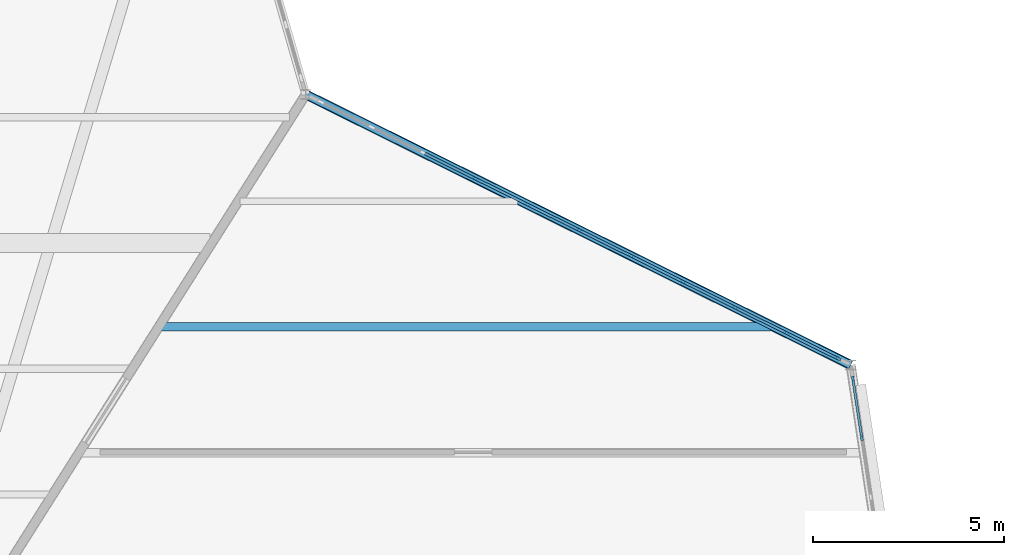
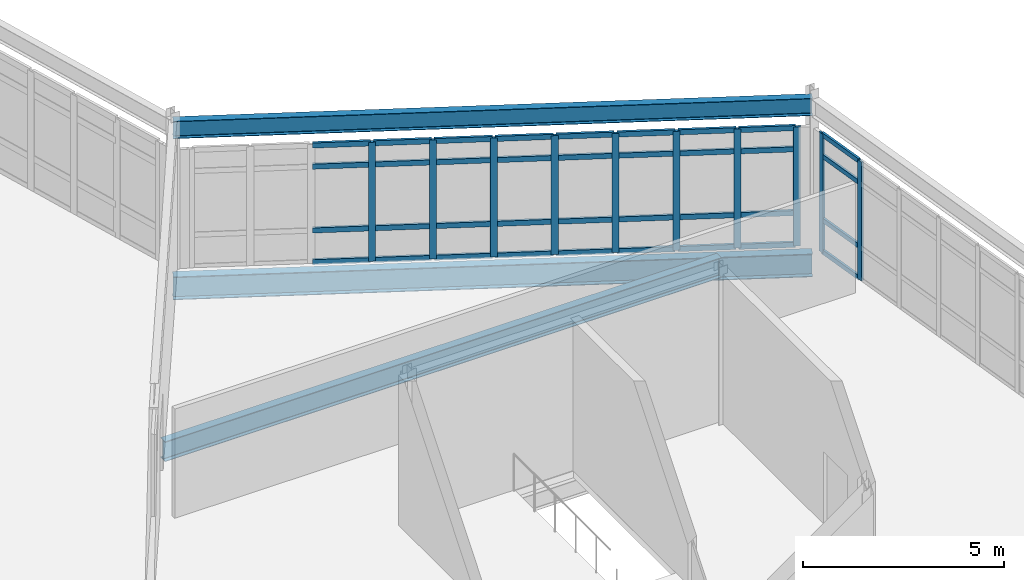
# One storey, part 34 of 76: 46 members, 3 beams, 2 elements without a shape of their own.
"""IFC4 building model written with IfcOpenShell, lengths in metres."""

from ifc_helpers import new_model, si_unit, direction, frame, origin, origin_2d, place, context, subcontext, project, spatial, rectangle, i_section, extrude, material, material_profile, profile_set, type_object, element, aggregate, save


model = new_model("IFC4")

# Units and contexts
model_context = context("Model", 3, precision=1e-05, world=origin(), true_north=direction((0.0, 1.0)))
body_context = subcontext(model_context, "Body", "Model", "MODEL_VIEW")
ifc_project = project(units=[si_unit("LENGTHUNIT", "METRE"), si_unit("AREAUNIT", "SQUARE_METRE"), si_unit("VOLUMEUNIT", "CUBIC_METRE"), si_unit("PLANEANGLEUNIT", "RADIAN"), si_unit("MASSUNIT", "GRAM", prefix="KILO")], contexts=[model_context])

# Site, building, storey
site_placement = place(None, origin())
site = spatial("IfcSite", under=ifc_project, at=site_placement, CompositionType="ELEMENT")
building_placement = place(site_placement, origin())
building = spatial("IfcBuilding", under=site, at=building_placement, Name="Tameran Prism Museum", CompositionType="ELEMENT")
storey_placement = place(building_placement, frame((0.0, 0.0, 15.0)))
storey = spatial("IfcBuildingStorey", under=building, at=storey_placement, Name="L03", CompositionType="ELEMENT", Elevation=15.0)

# Beams
ifc_material_1 = material(Name="Steel Grade 300PLUS (300 MPa)", Category="steel")
ifc_material_profile_1 = material_profile(ifc_material_1, i_section(OverallWidth=0.208984375, OverallDepth=0.528076171875, WebThickness=0.009521484375, FlangeThickness=0.01318359375, FilletRadius=0.013916015625, at=origin_2d()))
ifc_profile_set_1 = profile_set([ifc_material_profile_1])
beam_type_1 = type_object("IfcBeamType", Name="BM-SP530B", PredefinedType="SPANDREL", material=ifc_profile_set_1)
beam_1_placement = place(storey_placement, frame((74.800048828125, 66.10009765625, 4.256103515625), z_axis=(-0.89568063561, 0.444697873835, 0.0), x_axis=(-0.444697873835, -0.89568063561, 0.0)))
element("IfcBeam", 1, at=beam_1_placement, inside=storey, type_object=beam_type_1, Name="Roof Ring Beam RB-0972", PredefinedType="SPANDREL", context=body_context, shape_type="SweptSolid", body=[
    extrude(i_section(OverallWidth=0.208984375, OverallDepth=0.528076171875, WebThickness=0.009521484375, FlangeThickness=0.01318359375, FilletRadius=0.013916015625, at=origin_2d()), origin(), (0.0, 0.0, 1.0), 15.965576171875),
])
ifc_material_2 = material(Name="Steel Grade 350 (350 MPa)", Category="steel")
ifc_material_profile_2 = material_profile(ifc_material_2, i_section(OverallWidth=0.25, OverallDepth=0.699951171875, WebThickness=0.010009765625, FlangeThickness=0.02001953125, at=origin_2d()))
ifc_profile_set_2 = profile_set([ifc_material_profile_2])
beam_type_2 = type_object("IfcBeamType", Name="BM-SP700", PredefinedType="SPANDREL", material=ifc_profile_set_2)
beam_2_placement = place(storey_placement, frame((74.800048828125, 66.10009765625, -0.550048828125), z_axis=(-0.89568063561, 0.444697873835, 0.0), x_axis=(-0.444697873835, -0.89568063561, 0.0)))
element("IfcBeam", 2, at=beam_2_placement, inside=storey, type_object=beam_type_2, Name="Perimeter Spandrel SP-0968", PredefinedType="SPANDREL", context=body_context, shape_type="SweptSolid", body=[
    extrude(i_section(OverallWidth=0.25, OverallDepth=0.699951171875, WebThickness=0.010009765625, FlangeThickness=0.02001953125, at=origin_2d()), origin(), (0.0, 0.0, 1.0), 15.965576171875),
])
ifc_material_3 = material(Name="Steel Grade 300PLUS (300 MPa)", Category="steel")
ifc_material_profile_3 = material_profile(ifc_material_3, i_section(OverallWidth=0.22802734375, OverallDepth=0.60693359375, WebThickness=0.01123046875, FlangeThickness=0.017333984375, FilletRadius=0.013916015625, at=origin_2d()))
ifc_profile_set_3 = profile_set([ifc_material_profile_3])
beam_type_3 = type_object("IfcBeamType", Name="BM-UB610B", PredefinedType="BEAM", material=ifc_profile_set_3)
beam_3_placement = place(storey_placement, frame((56.68896484375, 67.10009765625, -0.50341796875), z_axis=(1.0, 0.0, 0.0), x_axis=(0.0, 1.0, 0.0)))
element("IfcBeam", 3, at=beam_3_placement, inside=storey, type_object=beam_type_3, Name="Floor Beam BM-1102", PredefinedType="BEAM", context=body_context, shape_type="SweptSolid", body=[
    extrude(i_section(OverallWidth=0.22802734375, OverallDepth=0.60693359375, WebThickness=0.01123046875, FlangeThickness=0.017333984375, FilletRadius=0.013916015625, at=origin_2d()), origin(), (0.0, 0.0, 1.0), 16.007080078125),
])

# Curtain wall, members
ifc_material_4 = material(Name="Anodised Aluminium 6063-T6 and Cyclone Solar Glass", Category="aluminium")
curtain_wall_type_1 = type_object("IfcCurtainWallType", Name="CW-FAC-1734x362", PredefinedType="USERDEFINED", material=ifc_material_4)
curtain_wall_1_placement = place(storey_placement, origin())
curtain_wall_1 = element("IfcCurtainWall", 4, at=curtain_wall_1_placement, inside=storey, type_object=curtain_wall_type_1, Name="Unitised Curtain Wall CW-143", ObjectType="UNITISED CURTAIN WALL", PredefinedType="USERDEFINED")
ifc_material_5 = material(Name="Anodised Aluminium Alloy 6063-T6", Category="aluminium")
ifc_material_profile_4 = material_profile(ifc_material_5, rectangle(XDim=0.06494140625, YDim=0.159912109375, at=origin_2d()))
ifc_profile_set_4 = profile_set([ifc_material_profile_4])
member_type_1 = type_object("IfcMemberType", Name="CW-MUL-A", PredefinedType="MULLION", material=ifc_profile_set_4)
member_1_placement = place(storey_placement, frame((74.85693359375, 65.721923828125, 0.0), z_axis=(0.0, 0.0, 1.0), x_axis=(0.988812088052, 0.149166532852, 0.0)))
member_1 = element("IfcMember", 5, at=member_1_placement, type_object=member_type_1, Name="CW-143 mullion 1", PredefinedType="MULLION", context=body_context, shape_type="SweptSolid", body=[
    extrude(rectangle(XDim=0.06494140625, YDim=0.159912109375, at=origin_2d()), origin(), (0.0, 0.0, 1.0), 3.6201171875),
])
member_2_placement = place(storey_placement, frame((75.087158203125, 64.195068359375, 0.0), z_axis=(0.0, 0.0, 1.0), x_axis=(0.988812088052, 0.149166532852, 0.0)))
member_2 = element("IfcMember", 6, at=member_2_placement, type_object=member_type_1, Name="CW-143 mullion 2", PredefinedType="MULLION", context=body_context, shape_type="SweptSolid", body=[
    extrude(rectangle(XDim=0.06494140625, YDim=0.159912109375, at=origin_2d()), origin(), (0.0, 0.0, 1.0), 3.6201171875),
])

ifc_material_6 = material(Name="Anodised Aluminium 6063-T6 and Cyclone Solar Glass", Category="aluminium")
curtain_wall_type_2 = type_object("IfcCurtainWallType", Name="CW-FAC-1520x362", PredefinedType="USERDEFINED", material=ifc_material_6)
curtain_wall_2_placement = place(storey_placement, origin())
curtain_wall_2 = element("IfcCurtainWall", 7, at=curtain_wall_2_placement, inside=storey, type_object=curtain_wall_type_2, Name="Unitised Curtain Wall CW-144", ObjectType="UNITISED CURTAIN WALL", PredefinedType="USERDEFINED")
ifc_material_7 = material(Name="Anodised Aluminium Alloy 6063-T6", Category="aluminium")
ifc_material_profile_5 = material_profile(ifc_material_7, rectangle(XDim=0.070068359375, YDim=0.179931640625, at=origin_2d()))
ifc_profile_set_5 = profile_set([ifc_material_profile_5])
member_type_2 = type_object("IfcMemberType", Name="CW-MUL-B", PredefinedType="MULLION", material=ifc_profile_set_5)
member_3_placement = place(storey_placement, frame((64.952880859375, 70.98876953125, 0.0), z_axis=(0.0, 0.0, 1.0), x_axis=(0.444633769593, 0.895712459966, 0.0)))
member_3 = element("IfcMember", 8, at=member_3_placement, type_object=member_type_2, Name="CW-144 mullion 4", PredefinedType="MULLION", context=body_context, shape_type="SweptSolid", body=[
    extrude(rectangle(XDim=0.070068359375, YDim=0.179931640625, at=origin_2d()), origin(), (0.0, 0.0, 1.0), 3.6201171875),
])
member_4_placement = place(storey_placement, frame((66.31494140625, 70.3125, 0.0), z_axis=(0.0, 0.0, 1.0), x_axis=(0.444633769593, 0.895712459966, 0.0)))
member_4 = element("IfcMember", 9, at=member_4_placement, type_object=member_type_2, Name="CW-144 mullion 5", PredefinedType="MULLION", context=body_context, shape_type="SweptSolid", body=[
    extrude(rectangle(XDim=0.070068359375, YDim=0.179931640625, at=origin_2d()), origin(), (0.0, 0.0, 1.0), 3.6201171875),
])
member_5_placement = place(storey_placement, frame((67.677001953125, 69.636474609375, 0.0), z_axis=(0.0, 0.0, 1.0), x_axis=(0.444633769593, 0.895712459966, 0.0)))
member_5 = element("IfcMember", 10, at=member_5_placement, type_object=member_type_2, Name="CW-144 mullion 6", PredefinedType="MULLION", context=body_context, shape_type="SweptSolid", body=[
    extrude(rectangle(XDim=0.070068359375, YDim=0.179931640625, at=origin_2d()), origin(), (0.0, 0.0, 1.0), 3.6201171875),
])
member_6_placement = place(storey_placement, frame((69.0390625, 68.96044921875, 0.0), z_axis=(0.0, 0.0, 1.0), x_axis=(0.444633769593, 0.895712459966, 0.0)))
member_6 = element("IfcMember", 11, at=member_6_placement, type_object=member_type_2, Name="CW-144 mullion 7", PredefinedType="MULLION", context=body_context, shape_type="SweptSolid", body=[
    extrude(rectangle(XDim=0.070068359375, YDim=0.179931640625, at=origin_2d()), origin(), (0.0, 0.0, 1.0), 3.6201171875),
])
member_7_placement = place(storey_placement, frame((70.40087890625, 68.2841796875, 0.0), z_axis=(0.0, 0.0, 1.0), x_axis=(0.444633769593, 0.895712459966, 0.0)))
member_7 = element("IfcMember", 12, at=member_7_placement, type_object=member_type_2, Name="CW-144 mullion 8", PredefinedType="MULLION", context=body_context, shape_type="SweptSolid", body=[
    extrude(rectangle(XDim=0.070068359375, YDim=0.179931640625, at=origin_2d()), origin(), (0.0, 0.0, 1.0), 3.6201171875),
])
member_8_placement = place(storey_placement, frame((71.762939453125, 67.608154296875, 0.0), z_axis=(0.0, 0.0, 1.0), x_axis=(0.444633769593, 0.895712459966, 0.0)))
member_8 = element("IfcMember", 13, at=member_8_placement, type_object=member_type_2, Name="CW-144 mullion 9", PredefinedType="MULLION", context=body_context, shape_type="SweptSolid", body=[
    extrude(rectangle(XDim=0.070068359375, YDim=0.179931640625, at=origin_2d()), origin(), (0.0, 0.0, 1.0), 3.6201171875),
])
member_9_placement = place(storey_placement, frame((73.125, 66.93212890625, 0.0), z_axis=(0.0, 0.0, 1.0), x_axis=(0.444633769593, 0.895712459966, 0.0)))
member_9 = element("IfcMember", 14, at=member_9_placement, type_object=member_type_2, Name="CW-144 mullion 10", PredefinedType="MULLION", context=body_context, shape_type="SweptSolid", body=[
    extrude(rectangle(XDim=0.070068359375, YDim=0.179931640625, at=origin_2d()), origin(), (0.0, 0.0, 1.0), 3.6201171875),
])
member_10_placement = place(storey_placement, frame((74.45556640625, 66.271484375, 0.0), z_axis=(0.0, 0.0, 1.0), x_axis=(0.444633769593, 0.895712459966, 0.0)))
member_10 = element("IfcMember", 15, at=member_10_placement, type_object=member_type_2, Name="CW-144 mullion 11", PredefinedType="MULLION", context=body_context, shape_type="SweptSolid", body=[
    extrude(rectangle(XDim=0.070068359375, YDim=0.179931640625, at=origin_2d()), origin(), (0.0, 0.0, 1.0), 3.6201171875),
])

# Member
ifc_material_8 = material(Name="Anodised Aluminium Alloy 6063-T6", Category="aluminium")
ifc_material_profile_6 = material_profile(ifc_material_8, rectangle(XDim=0.06494140625, YDim=0.139892578125, at=origin_2d()))
ifc_profile_set_6 = profile_set([ifc_material_profile_6])
member_type_3 = type_object("IfcMemberType", Name="CW-TRN-A", PredefinedType="USERDEFINED", material=ifc_profile_set_6)
member_11_placement = place(storey_placement, frame((74.86181640625, 65.689697265625, 0.032470703125), z_axis=(0.149042595764, -0.988830776548, 0.0), x_axis=(0.988830776548, 0.149042595764, 0.0)))
member_11 = element("IfcMember", 16, at=member_11_placement, type_object=member_type_3, Name="CW-143 transom 1.1", ObjectType="TRANSOM", PredefinedType="USERDEFINED", context=body_context, shape_type="SweptSolid", body=[
    extrude(rectangle(XDim=0.06494140625, YDim=0.139892578125, at=origin_2d()), origin(), (0.0, 0.0, 1.0), 1.479248046875),
])

member_12_placement = place(storey_placement, frame((74.86181640625, 65.689697265625, 1.0), z_axis=(0.149042595764, -0.988830776548, 0.0), x_axis=(0.988830776548, 0.149042595764, 0.0)))
member_12 = element("IfcMember", 17, at=member_12_placement, type_object=member_type_3, Name="CW-143 transom 1.2", ObjectType="TRANSOM", PredefinedType="USERDEFINED", context=body_context, shape_type="SweptSolid", body=[
    extrude(rectangle(XDim=0.06494140625, YDim=0.139892578125, at=origin_2d()), origin(), (0.0, 0.0, 1.0), 1.479248046875),
])

member_13_placement = place(storey_placement, frame((74.86181640625, 65.689697265625, 2.93994140625), z_axis=(0.149042595764, -0.988830776548, 0.0), x_axis=(0.988830776548, 0.149042595764, 0.0)))
member_13 = element("IfcMember", 18, at=member_13_placement, type_object=member_type_3, Name="CW-143 transom 1.3", ObjectType="TRANSOM", PredefinedType="USERDEFINED", context=body_context, shape_type="SweptSolid", body=[
    extrude(rectangle(XDim=0.06494140625, YDim=0.139892578125, at=origin_2d()), origin(), (0.0, 0.0, 1.0), 1.479248046875),
])

member_14_placement = place(storey_placement, frame((74.86181640625, 65.689697265625, 3.58740234375), z_axis=(0.149042595764, -0.988830776548, 0.0), x_axis=(0.988830776548, 0.149042595764, 0.0)))
member_14 = element("IfcMember", 19, at=member_14_placement, type_object=member_type_3, Name="CW-143 transom 1.4", ObjectType="TRANSOM", PredefinedType="USERDEFINED", context=body_context, shape_type="SweptSolid", body=[
    extrude(rectangle(XDim=0.06494140625, YDim=0.139892578125, at=origin_2d()), origin(), (0.0, 0.0, 1.0), 1.479248046875),
])

aggregate(curtain_wall_1, [member_1, member_2, member_11, member_12, member_13, member_14])

ifc_material_9 = material(Name="Anodised Aluminium Alloy 6063-T6", Category="aluminium")
ifc_material_profile_7 = material_profile(ifc_material_9, rectangle(XDim=0.070068359375, YDim=0.155029296875, at=origin_2d()))
ifc_profile_set_7 = profile_set([ifc_material_profile_7])
member_type_4 = type_object("IfcMemberType", Name="CW-TRN-B", PredefinedType="USERDEFINED", material=ifc_profile_set_7)
member_15_placement = place(storey_placement, frame((63.622314453125, 71.649169921875, 0.034912109375), z_axis=(0.89570262692, -0.444653577663, 0.0), x_axis=(0.444653577663, 0.89570262692, 0.0)))
member_15 = element("IfcMember", 20, at=member_15_placement, type_object=member_type_4, Name="CW-144 transom 3.1", ObjectType="TRANSOM", PredefinedType="USERDEFINED", context=body_context, shape_type="SweptSolid", body=[
    extrude(rectangle(XDim=0.070068359375, YDim=0.155029296875, at=origin_2d()), origin(), (0.0, 0.0, 1.0), 1.45068359375),
])

member_16_placement = place(storey_placement, frame((63.622314453125, 71.649169921875, 1.0), z_axis=(0.89570262692, -0.444653577663, 0.0), x_axis=(0.444653577663, 0.89570262692, 0.0)))
member_16 = element("IfcMember", 21, at=member_16_placement, type_object=member_type_4, Name="CW-144 transom 3.2", ObjectType="TRANSOM", PredefinedType="USERDEFINED", context=body_context, shape_type="SweptSolid", body=[
    extrude(rectangle(XDim=0.070068359375, YDim=0.155029296875, at=origin_2d()), origin(), (0.0, 0.0, 1.0), 1.45068359375),
])

member_17_placement = place(storey_placement, frame((63.622314453125, 71.649169921875, 2.93994140625), z_axis=(0.89570262692, -0.444653577663, 0.0), x_axis=(0.444653577663, 0.89570262692, 0.0)))
member_17 = element("IfcMember", 22, at=member_17_placement, type_object=member_type_4, Name="CW-144 transom 3.3", ObjectType="TRANSOM", PredefinedType="USERDEFINED", context=body_context, shape_type="SweptSolid", body=[
    extrude(rectangle(XDim=0.070068359375, YDim=0.155029296875, at=origin_2d()), origin(), (0.0, 0.0, 1.0), 1.45068359375),
])

member_18_placement = place(storey_placement, frame((63.622314453125, 71.649169921875, 3.5849609375), z_axis=(0.89570262692, -0.444653577663, 0.0), x_axis=(0.444653577663, 0.89570262692, 0.0)))
member_18 = element("IfcMember", 23, at=member_18_placement, type_object=member_type_4, Name="CW-144 transom 3.4", ObjectType="TRANSOM", PredefinedType="USERDEFINED", context=body_context, shape_type="SweptSolid", body=[
    extrude(rectangle(XDim=0.070068359375, YDim=0.155029296875, at=origin_2d()), origin(), (0.0, 0.0, 1.0), 1.45068359375),
])

member_19_placement = place(storey_placement, frame((64.984375, 70.97314453125, 0.034912109375), z_axis=(0.89570262692, -0.444653577663, 0.0), x_axis=(0.444653577663, 0.89570262692, 0.0)))
member_19 = element("IfcMember", 24, at=member_19_placement, type_object=member_type_4, Name="CW-144 transom 4.1", ObjectType="TRANSOM", PredefinedType="USERDEFINED", context=body_context, shape_type="SweptSolid", body=[
    extrude(rectangle(XDim=0.070068359375, YDim=0.155029296875, at=origin_2d()), origin(), (0.0, 0.0, 1.0), 1.45068359375),
])

member_20_placement = place(storey_placement, frame((64.984375, 70.97314453125, 1.0), z_axis=(0.89570262692, -0.444653577663, 0.0), x_axis=(0.444653577663, 0.89570262692, 0.0)))
member_20 = element("IfcMember", 25, at=member_20_placement, type_object=member_type_4, Name="CW-144 transom 4.2", ObjectType="TRANSOM", PredefinedType="USERDEFINED", context=body_context, shape_type="SweptSolid", body=[
    extrude(rectangle(XDim=0.070068359375, YDim=0.155029296875, at=origin_2d()), origin(), (0.0, 0.0, 1.0), 1.45068359375),
])

member_21_placement = place(storey_placement, frame((64.984375, 70.97314453125, 2.93994140625), z_axis=(0.89570262692, -0.444653577663, 0.0), x_axis=(0.444653577663, 0.89570262692, 0.0)))
member_21 = element("IfcMember", 26, at=member_21_placement, type_object=member_type_4, Name="CW-144 transom 4.3", ObjectType="TRANSOM", PredefinedType="USERDEFINED", context=body_context, shape_type="SweptSolid", body=[
    extrude(rectangle(XDim=0.070068359375, YDim=0.155029296875, at=origin_2d()), origin(), (0.0, 0.0, 1.0), 1.45068359375),
])

member_22_placement = place(storey_placement, frame((64.984375, 70.97314453125, 3.5849609375), z_axis=(0.89570262692, -0.444653577663, 0.0), x_axis=(0.444653577663, 0.89570262692, 0.0)))
member_22 = element("IfcMember", 27, at=member_22_placement, type_object=member_type_4, Name="CW-144 transom 4.4", ObjectType="TRANSOM", PredefinedType="USERDEFINED", context=body_context, shape_type="SweptSolid", body=[
    extrude(rectangle(XDim=0.070068359375, YDim=0.155029296875, at=origin_2d()), origin(), (0.0, 0.0, 1.0), 1.45068359375),
])

member_23_placement = place(storey_placement, frame((66.346435546875, 70.297119140625, 0.034912109375), z_axis=(0.89570262692, -0.444653577663, 0.0), x_axis=(0.444653577663, 0.89570262692, 0.0)))
member_23 = element("IfcMember", 28, at=member_23_placement, type_object=member_type_4, Name="CW-144 transom 5.1", ObjectType="TRANSOM", PredefinedType="USERDEFINED", context=body_context, shape_type="SweptSolid", body=[
    extrude(rectangle(XDim=0.070068359375, YDim=0.155029296875, at=origin_2d()), origin(), (0.0, 0.0, 1.0), 1.45068359375),
])

member_24_placement = place(storey_placement, frame((66.346435546875, 70.297119140625, 1.0), z_axis=(0.89570262692, -0.444653577663, 0.0), x_axis=(0.444653577663, 0.89570262692, 0.0)))
member_24 = element("IfcMember", 29, at=member_24_placement, type_object=member_type_4, Name="CW-144 transom 5.2", ObjectType="TRANSOM", PredefinedType="USERDEFINED", context=body_context, shape_type="SweptSolid", body=[
    extrude(rectangle(XDim=0.070068359375, YDim=0.155029296875, at=origin_2d()), origin(), (0.0, 0.0, 1.0), 1.45068359375),
])

member_25_placement = place(storey_placement, frame((66.346435546875, 70.297119140625, 2.93994140625), z_axis=(0.89570262692, -0.444653577663, 0.0), x_axis=(0.444653577663, 0.89570262692, 0.0)))
member_25 = element("IfcMember", 30, at=member_25_placement, type_object=member_type_4, Name="CW-144 transom 5.3", ObjectType="TRANSOM", PredefinedType="USERDEFINED", context=body_context, shape_type="SweptSolid", body=[
    extrude(rectangle(XDim=0.070068359375, YDim=0.155029296875, at=origin_2d()), origin(), (0.0, 0.0, 1.0), 1.45068359375),
])

member_26_placement = place(storey_placement, frame((66.346435546875, 70.297119140625, 3.5849609375), z_axis=(0.89570262692, -0.444653577663, 0.0), x_axis=(0.444653577663, 0.89570262692, 0.0)))
member_26 = element("IfcMember", 31, at=member_26_placement, type_object=member_type_4, Name="CW-144 transom 5.4", ObjectType="TRANSOM", PredefinedType="USERDEFINED", context=body_context, shape_type="SweptSolid", body=[
    extrude(rectangle(XDim=0.070068359375, YDim=0.155029296875, at=origin_2d()), origin(), (0.0, 0.0, 1.0), 1.45068359375),
])

member_27_placement = place(storey_placement, frame((67.708251953125, 69.620849609375, 0.034912109375), z_axis=(0.89576965259, -0.444518536732, 0.0), x_axis=(0.444518536732, 0.89576965259, 0.0)))
member_27 = element("IfcMember", 32, at=member_27_placement, type_object=member_type_4, Name="CW-144 transom 6.1", ObjectType="TRANSOM", PredefinedType="USERDEFINED", context=body_context, shape_type="SweptSolid", body=[
    extrude(rectangle(XDim=0.070068359375, YDim=0.155029296875, at=origin_2d()), origin(), (0.0, 0.0, 1.0), 1.450439453125),
])

member_28_placement = place(storey_placement, frame((67.708251953125, 69.620849609375, 1.0), z_axis=(0.89576965259, -0.444518536732, 0.0), x_axis=(0.444518536732, 0.89576965259, 0.0)))
member_28 = element("IfcMember", 33, at=member_28_placement, type_object=member_type_4, Name="CW-144 transom 6.2", ObjectType="TRANSOM", PredefinedType="USERDEFINED", context=body_context, shape_type="SweptSolid", body=[
    extrude(rectangle(XDim=0.070068359375, YDim=0.155029296875, at=origin_2d()), origin(), (0.0, 0.0, 1.0), 1.450439453125),
])

member_29_placement = place(storey_placement, frame((67.708251953125, 69.620849609375, 2.93994140625), z_axis=(0.89576965259, -0.444518536732, 0.0), x_axis=(0.444518536732, 0.89576965259, 0.0)))
member_29 = element("IfcMember", 34, at=member_29_placement, type_object=member_type_4, Name="CW-144 transom 6.3", ObjectType="TRANSOM", PredefinedType="USERDEFINED", context=body_context, shape_type="SweptSolid", body=[
    extrude(rectangle(XDim=0.070068359375, YDim=0.155029296875, at=origin_2d()), origin(), (0.0, 0.0, 1.0), 1.450439453125),
])

member_30_placement = place(storey_placement, frame((67.708251953125, 69.620849609375, 3.5849609375), z_axis=(0.89576965259, -0.444518536732, 0.0), x_axis=(0.444518536732, 0.89576965259, 0.0)))
member_30 = element("IfcMember", 35, at=member_30_placement, type_object=member_type_4, Name="CW-144 transom 6.4", ObjectType="TRANSOM", PredefinedType="USERDEFINED", context=body_context, shape_type="SweptSolid", body=[
    extrude(rectangle(XDim=0.070068359375, YDim=0.155029296875, at=origin_2d()), origin(), (0.0, 0.0, 1.0), 1.450439453125),
])

member_31_placement = place(storey_placement, frame((69.0703125, 68.94482421875, 0.034912109375), z_axis=(0.89570262692, -0.444653577663, 0.0), x_axis=(0.444653577663, 0.89570262692, 0.0)))
member_31 = element("IfcMember", 36, at=member_31_placement, type_object=member_type_4, Name="CW-144 transom 7.1", ObjectType="TRANSOM", PredefinedType="USERDEFINED", context=body_context, shape_type="SweptSolid", body=[
    extrude(rectangle(XDim=0.070068359375, YDim=0.155029296875, at=origin_2d()), origin(), (0.0, 0.0, 1.0), 1.45068359375),
])

member_32_placement = place(storey_placement, frame((69.0703125, 68.94482421875, 1.0), z_axis=(0.89570262692, -0.444653577663, 0.0), x_axis=(0.444653577663, 0.89570262692, 0.0)))
member_32 = element("IfcMember", 37, at=member_32_placement, type_object=member_type_4, Name="CW-144 transom 7.2", ObjectType="TRANSOM", PredefinedType="USERDEFINED", context=body_context, shape_type="SweptSolid", body=[
    extrude(rectangle(XDim=0.070068359375, YDim=0.155029296875, at=origin_2d()), origin(), (0.0, 0.0, 1.0), 1.45068359375),
])

member_33_placement = place(storey_placement, frame((69.0703125, 68.94482421875, 2.93994140625), z_axis=(0.89570262692, -0.444653577663, 0.0), x_axis=(0.444653577663, 0.89570262692, 0.0)))
member_33 = element("IfcMember", 38, at=member_33_placement, type_object=member_type_4, Name="CW-144 transom 7.3", ObjectType="TRANSOM", PredefinedType="USERDEFINED", context=body_context, shape_type="SweptSolid", body=[
    extrude(rectangle(XDim=0.070068359375, YDim=0.155029296875, at=origin_2d()), origin(), (0.0, 0.0, 1.0), 1.45068359375),
])

member_34_placement = place(storey_placement, frame((69.0703125, 68.94482421875, 3.5849609375), z_axis=(0.89570262692, -0.444653577663, 0.0), x_axis=(0.444653577663, 0.89570262692, 0.0)))
member_34 = element("IfcMember", 39, at=member_34_placement, type_object=member_type_4, Name="CW-144 transom 7.4", ObjectType="TRANSOM", PredefinedType="USERDEFINED", context=body_context, shape_type="SweptSolid", body=[
    extrude(rectangle(XDim=0.070068359375, YDim=0.155029296875, at=origin_2d()), origin(), (0.0, 0.0, 1.0), 1.45068359375),
])

member_35_placement = place(storey_placement, frame((70.432373046875, 68.268798828125, 0.034912109375), z_axis=(0.89570262692, -0.444653577663, 0.0), x_axis=(0.444653577663, 0.89570262692, 0.0)))
member_35 = element("IfcMember", 40, at=member_35_placement, type_object=member_type_4, Name="CW-144 transom 8.1", ObjectType="TRANSOM", PredefinedType="USERDEFINED", context=body_context, shape_type="SweptSolid", body=[
    extrude(rectangle(XDim=0.070068359375, YDim=0.155029296875, at=origin_2d()), origin(), (0.0, 0.0, 1.0), 1.45068359375),
])

member_36_placement = place(storey_placement, frame((70.432373046875, 68.268798828125, 1.0), z_axis=(0.89570262692, -0.444653577663, 0.0), x_axis=(0.444653577663, 0.89570262692, 0.0)))
member_36 = element("IfcMember", 41, at=member_36_placement, type_object=member_type_4, Name="CW-144 transom 8.2", ObjectType="TRANSOM", PredefinedType="USERDEFINED", context=body_context, shape_type="SweptSolid", body=[
    extrude(rectangle(XDim=0.070068359375, YDim=0.155029296875, at=origin_2d()), origin(), (0.0, 0.0, 1.0), 1.45068359375),
])

member_37_placement = place(storey_placement, frame((70.432373046875, 68.268798828125, 2.93994140625), z_axis=(0.89570262692, -0.444653577663, 0.0), x_axis=(0.444653577663, 0.89570262692, 0.0)))
member_37 = element("IfcMember", 42, at=member_37_placement, type_object=member_type_4, Name="CW-144 transom 8.3", ObjectType="TRANSOM", PredefinedType="USERDEFINED", context=body_context, shape_type="SweptSolid", body=[
    extrude(rectangle(XDim=0.070068359375, YDim=0.155029296875, at=origin_2d()), origin(), (0.0, 0.0, 1.0), 1.45068359375),
])

member_38_placement = place(storey_placement, frame((70.432373046875, 68.268798828125, 3.5849609375), z_axis=(0.89570262692, -0.444653577663, 0.0), x_axis=(0.444653577663, 0.89570262692, 0.0)))
member_38 = element("IfcMember", 43, at=member_38_placement, type_object=member_type_4, Name="CW-144 transom 8.4", ObjectType="TRANSOM", PredefinedType="USERDEFINED", context=body_context, shape_type="SweptSolid", body=[
    extrude(rectangle(XDim=0.070068359375, YDim=0.155029296875, at=origin_2d()), origin(), (0.0, 0.0, 1.0), 1.45068359375),
])

member_39_placement = place(storey_placement, frame((71.79443359375, 67.592529296875, 0.034912109375), z_axis=(0.89576965259, -0.444518536732, 0.0), x_axis=(0.444518536732, 0.89576965259, 0.0)))
member_39 = element("IfcMember", 44, at=member_39_placement, type_object=member_type_4, Name="CW-144 transom 9.1", ObjectType="TRANSOM", PredefinedType="USERDEFINED", context=body_context, shape_type="SweptSolid", body=[
    extrude(rectangle(XDim=0.070068359375, YDim=0.155029296875, at=origin_2d()), origin(), (0.0, 0.0, 1.0), 1.450439453125),
])

member_40_placement = place(storey_placement, frame((71.79443359375, 67.592529296875, 1.0), z_axis=(0.89576965259, -0.444518536732, 0.0), x_axis=(0.444518536732, 0.89576965259, 0.0)))
member_40 = element("IfcMember", 45, at=member_40_placement, type_object=member_type_4, Name="CW-144 transom 9.2", ObjectType="TRANSOM", PredefinedType="USERDEFINED", context=body_context, shape_type="SweptSolid", body=[
    extrude(rectangle(XDim=0.070068359375, YDim=0.155029296875, at=origin_2d()), origin(), (0.0, 0.0, 1.0), 1.450439453125),
])

member_41_placement = place(storey_placement, frame((71.79443359375, 67.592529296875, 2.93994140625), z_axis=(0.89576965259, -0.444518536732, 0.0), x_axis=(0.444518536732, 0.89576965259, 0.0)))
member_41 = element("IfcMember", 46, at=member_41_placement, type_object=member_type_4, Name="CW-144 transom 9.3", ObjectType="TRANSOM", PredefinedType="USERDEFINED", context=body_context, shape_type="SweptSolid", body=[
    extrude(rectangle(XDim=0.070068359375, YDim=0.155029296875, at=origin_2d()), origin(), (0.0, 0.0, 1.0), 1.450439453125),
])

member_42_placement = place(storey_placement, frame((71.79443359375, 67.592529296875, 3.5849609375), z_axis=(0.89576965259, -0.444518536732, 0.0), x_axis=(0.444518536732, 0.89576965259, 0.0)))
member_42 = element("IfcMember", 47, at=member_42_placement, type_object=member_type_4, Name="CW-144 transom 9.4", ObjectType="TRANSOM", PredefinedType="USERDEFINED", context=body_context, shape_type="SweptSolid", body=[
    extrude(rectangle(XDim=0.070068359375, YDim=0.155029296875, at=origin_2d()), origin(), (0.0, 0.0, 1.0), 1.450439453125),
])

member_43_placement = place(storey_placement, frame((73.15625, 66.91650390625, 0.034912109375), z_axis=(0.895734011808, -0.444590350874, 0.0), x_axis=(0.444590350874, 0.895734011808, 0.0)))
member_43 = element("IfcMember", 48, at=member_43_placement, type_object=member_type_4, Name="CW-144 transom 10.1", ObjectType="TRANSOM", PredefinedType="USERDEFINED", context=body_context, shape_type="SweptSolid", body=[
    extrude(rectangle(XDim=0.070068359375, YDim=0.155029296875, at=origin_2d()), origin(), (0.0, 0.0, 1.0), 1.415771484375),
])

member_44_placement = place(storey_placement, frame((73.15625, 66.91650390625, 1.0), z_axis=(0.895734011808, -0.444590350874, 0.0), x_axis=(0.444590350874, 0.895734011808, 0.0)))
member_44 = element("IfcMember", 49, at=member_44_placement, type_object=member_type_4, Name="CW-144 transom 10.2", ObjectType="TRANSOM", PredefinedType="USERDEFINED", context=body_context, shape_type="SweptSolid", body=[
    extrude(rectangle(XDim=0.070068359375, YDim=0.155029296875, at=origin_2d()), origin(), (0.0, 0.0, 1.0), 1.415771484375),
])

member_45_placement = place(storey_placement, frame((73.15625, 66.91650390625, 2.93994140625), z_axis=(0.895734011808, -0.444590350874, 0.0), x_axis=(0.444590350874, 0.895734011808, 0.0)))
member_45 = element("IfcMember", 50, at=member_45_placement, type_object=member_type_4, Name="CW-144 transom 10.3", ObjectType="TRANSOM", PredefinedType="USERDEFINED", context=body_context, shape_type="SweptSolid", body=[
    extrude(rectangle(XDim=0.070068359375, YDim=0.155029296875, at=origin_2d()), origin(), (0.0, 0.0, 1.0), 1.415771484375),
])

member_46_placement = place(storey_placement, frame((73.15625, 66.91650390625, 3.5849609375), z_axis=(0.895734011808, -0.444590350874, 0.0), x_axis=(0.444590350874, 0.895734011808, 0.0)))
member_46 = element("IfcMember", 51, at=member_46_placement, type_object=member_type_4, Name="CW-144 transom 10.4", ObjectType="TRANSOM", PredefinedType="USERDEFINED", context=body_context, shape_type="SweptSolid", body=[
    extrude(rectangle(XDim=0.070068359375, YDim=0.155029296875, at=origin_2d()), origin(), (0.0, 0.0, 1.0), 1.415771484375),
])

aggregate(curtain_wall_2, [member_3, member_4, member_5, member_6, member_7, member_8, member_9, member_10, member_15, member_16, member_17, member_18, member_19, member_20, member_21, member_22, member_23, member_24, member_25, member_26, member_27, member_28, member_29, member_30, member_31, member_32, member_33, member_34, member_35, member_36, member_37, member_38, member_39, member_40, member_41, member_42, member_43, member_44, member_45, member_46])

save(model, "model.ifc")
